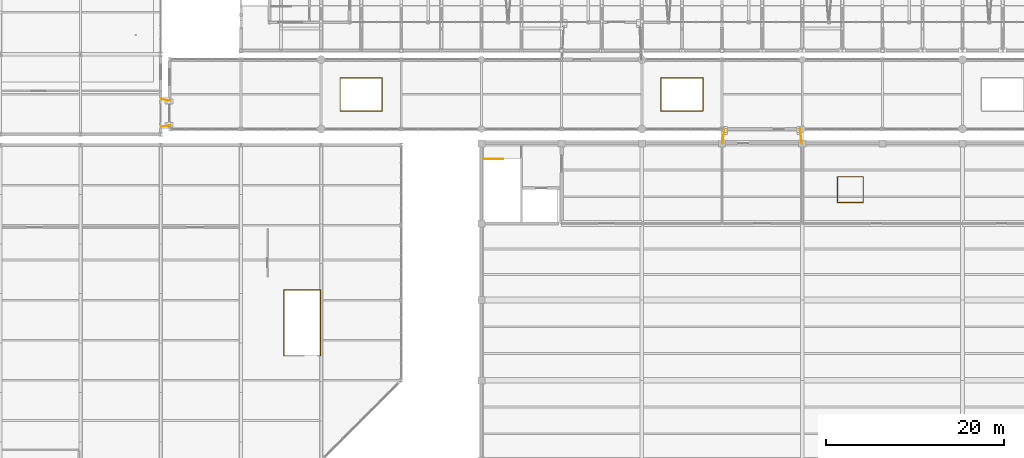
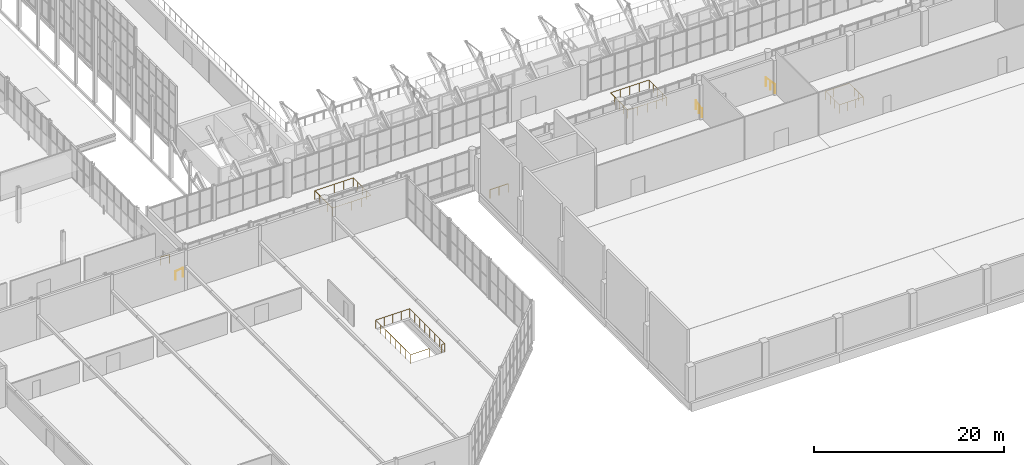
# One storey, part 128 of 134: 9 railings.
"""IFC4 building model written with IfcOpenShell, lengths in metres."""

from ifc_helpers import new_model, si_unit, direction, frame, origin, origin_2d, place, context, subcontext, project, spatial, circle, extrude, material, type_object, element, save


model = new_model("IFC4")

# Units and contexts
model_context = context("Model", 3, precision=1e-05, world=origin(), true_north=direction((0.0, 1.0)))
body_context = subcontext(model_context, "Body", "Model", "MODEL_VIEW")
ifc_project = project(units=[si_unit("LENGTHUNIT", "METRE"), si_unit("AREAUNIT", "SQUARE_METRE"), si_unit("VOLUMEUNIT", "CUBIC_METRE"), si_unit("PLANEANGLEUNIT", "RADIAN"), si_unit("MASSUNIT", "GRAM", prefix="KILO")], contexts=[model_context])

# Site, building, storey
site_placement = place(None, origin())
site = spatial("IfcSite", under=ifc_project, at=site_placement, CompositionType="ELEMENT")
building_placement = place(site_placement, origin())
building = spatial("IfcBuilding", under=site, at=building_placement, Name="Cazmaro Siding Exhibition Halls", CompositionType="ELEMENT")
storey_placement = place(building_placement, frame((0.0, 0.0, 12.0)))
storey = spatial("IfcBuildingStorey", under=building, at=storey_placement, Name="L02", CompositionType="ELEMENT", Elevation=12.0)

# Railings
ifc_material_1 = material(Name="Laminated Glass and Brushed Stainless Steel Balustrade", Category="steel")
railing_type_1 = type_object("IfcRailingType", Name="RL-BAL-01", PredefinedType="BALUSTRADE", material=ifc_material_1)
railing_1_placement = place(storey_placement, frame((99.050048828125, 53.60009765625, 0.0)))
element("IfcRailing", 1, at=railing_1_placement, inside=storey, type_object=railing_type_1, Name="Bridge SB-03 West Guard L02 RL-BAL-01 RL-G045", PredefinedType="BALUSTRADE", context=body_context, shape_type="SweptSolid", body=[
    extrude(circle(Radius=0.02392578125, at=origin_2d()), frame((0.0, 0.0, 1.09619140625), z_axis=(0.124016097791, 0.992280206136, 0.0), x_axis=(-0.992280206136, 0.124016097791, 0.0)), (0.0, 0.0, 1.0), 1.6123046875),
    extrude(circle(Radius=0.02099609375, at=origin_2d()), origin(), (0.0, 0.0, 1.0), 1.072021484375),
    extrude(circle(Radius=0.02099609375, at=origin_2d()), frame((0.10009765625, 0.7998046875, 0.0)), (0.0, 0.0, 1.0), 1.072021484375),
    extrude(circle(Radius=0.02099609375, at=origin_2d()), frame((0.199951171875, 1.599853515625, 0.0)), (0.0, 0.0, 1.0), 1.072021484375),
])
railing_2_placement = place(storey_placement, frame((107.949951171875, 53.60009765625, 0.0)))
element("IfcRailing", 2, at=railing_2_placement, inside=storey, type_object=railing_type_1, Name="Bridge SB-03 East Guard L02 RL-BAL-01 RL-G046", PredefinedType="BALUSTRADE", context=body_context, shape_type="SweptSolid", body=[
    extrude(circle(Radius=0.02392578125, at=origin_2d()), frame((0.0, 0.0, 1.09619140625), z_axis=(-0.124016097791, 0.992280206136, 0.0), x_axis=(-0.992280206136, -0.124016097791, 0.0)), (0.0, 0.0, 1.0), 1.6123046875),
    extrude(circle(Radius=0.02099609375, at=origin_2d()), origin(), (0.0, 0.0, 1.0), 1.072021484375),
    extrude(circle(Radius=0.02099609375, at=origin_2d()), frame((-0.10009765625, 0.7998046875, 0.0)), (0.0, 0.0, 1.0), 1.072021484375),
    extrude(circle(Radius=0.02099609375, at=origin_2d()), frame((-0.199951171875, 1.599853515625, 0.0)), (0.0, 0.0, 1.0), 1.072021484375),
])
railing_3_placement = place(storey_placement, frame((36.0, 55.449951171875, 0.0)))
element("IfcRailing", 3, at=railing_3_placement, inside=storey, type_object=railing_type_1, Name="Bridge SB-04 South Guard L02 RL-BAL-01 RL-G047", PredefinedType="BALUSTRADE", context=body_context, shape_type="SweptSolid", body=[
    extrude(circle(Radius=0.02392578125, at=origin_2d()), frame((0.0, 0.0, 1.09619140625), z_axis=(0.988915091775, 0.148482124375, 0.0), x_axis=(-0.148482124375, 0.988915091775, 0.0)), (0.0, 0.0, 1.0), 1.01123046875),
    extrude(circle(Radius=0.02099609375, at=origin_2d()), origin(), (0.0, 0.0, 1.0), 1.072021484375),
    extrude(circle(Radius=0.02099609375, at=origin_2d()), frame((1.0, 0.150146484375, 0.0)), (0.0, 0.0, 1.0), 1.072021484375),
])
railing_4_placement = place(storey_placement, frame((36.0, 58.550048828125, 0.0)))
element("IfcRailing", 4, at=railing_4_placement, inside=storey, type_object=railing_type_1, Name="Bridge SB-04 North Guard L02 RL-BAL-01 RL-G048", PredefinedType="BALUSTRADE", context=body_context, shape_type="SweptSolid", body=[
    extrude(circle(Radius=0.02392578125, at=origin_2d()), frame((0.0, 0.0, 1.09619140625), z_axis=(0.988915091775, -0.148482124375, 0.0), x_axis=(0.148482124375, 0.988915091775, 0.0)), (0.0, 0.0, 1.0), 1.01123046875),
    extrude(circle(Radius=0.02099609375, at=origin_2d()), origin(), (0.0, 0.0, 1.0), 1.072021484375),
    extrude(circle(Radius=0.02099609375, at=origin_2d()), frame((1.0, -0.150146484375, 0.0)), (0.0, 0.0, 1.0), 1.072021484375),
])
ifc_material_2 = material(Name="Interior Laminated Glass and Brushed Stainless Steel Balustrade", Category="steel")
railing_type_2 = type_object("IfcRailingType", Name="RL-BAL-02", PredefinedType="BALUSTRADE", material=ifc_material_2)
railing_5_placement = place(storey_placement, frame((56.14990234375, 57.25, 0.0)))
element("IfcRailing", 5, at=railing_5_placement, inside=storey, type_object=railing_type_2, Name="Concourse Atrium Guard L02 RL-BAL-02 RL-G027", PredefinedType="BALUSTRADE", context=body_context, shape_type="SweptSolid", body=[
    extrude(circle(Radius=0.02392578125, at=origin_2d()), frame((0.0, 0.0, 1.09619140625), z_axis=(1.0, 0.0, 0.0), x_axis=(0.0, 1.0, 0.0)), (0.0, 0.0, 1.0), 4.7001953125),
    extrude(circle(Radius=0.02392578125, at=origin_2d()), frame((4.7001953125, 0.0, 1.09619140625), z_axis=(0.0, 1.0, 0.0), x_axis=(-1.0, 0.0, 0.0)), (0.0, 0.0, 1.0), 3.699951171875),
    extrude(circle(Radius=0.02392578125, at=origin_2d()), frame((4.7001953125, 3.699951171875, 1.09619140625), z_axis=(-1.0, 0.0, 0.0), x_axis=(0.0, -1.0, 0.0)), (0.0, 0.0, 1.0), 4.7001953125),
    extrude(circle(Radius=0.02392578125, at=origin_2d()), frame((0.0, 3.699951171875, 1.09619140625), z_axis=(0.0, -1.0, 0.0), x_axis=(1.0, 0.0, 0.0)), (0.0, 0.0, 1.0), 3.639892578125),
    extrude(circle(Radius=0.02099609375, at=origin_2d()), origin(), (0.0, 0.0, 1.0), 1.072021484375),
    extrude(circle(Radius=0.02099609375, at=origin_2d()), frame((1.175048828125, 0.0, 0.0)), (0.0, 0.0, 1.0), 1.072021484375),
    extrude(circle(Radius=0.02099609375, at=origin_2d()), frame((2.35009765625, 0.0, 0.0)), (0.0, 0.0, 1.0), 1.072021484375),
    extrude(circle(Radius=0.02099609375, at=origin_2d()), frame((3.525146484375, 0.0, 0.0)), (0.0, 0.0, 1.0), 1.072021484375),
    extrude(circle(Radius=0.02099609375, at=origin_2d()), frame((4.7001953125, 0.0, 0.0)), (0.0, 0.0, 1.0), 1.072021484375),
    extrude(circle(Radius=0.02099609375, at=origin_2d()), frame((4.7001953125, 0.925048828125, 0.0)), (0.0, 0.0, 1.0), 1.072021484375),
    extrude(circle(Radius=0.02099609375, at=origin_2d()), frame((4.7001953125, 1.85009765625, 0.0)), (0.0, 0.0, 1.0), 1.072021484375),
    extrude(circle(Radius=0.02099609375, at=origin_2d()), frame((4.7001953125, 2.77490234375, 0.0)), (0.0, 0.0, 1.0), 1.072021484375),
    extrude(circle(Radius=0.02099609375, at=origin_2d()), frame((4.7001953125, 3.699951171875, 0.0)), (0.0, 0.0, 1.0), 1.072021484375),
    extrude(circle(Radius=0.02099609375, at=origin_2d()), frame((3.525146484375, 3.699951171875, 0.0)), (0.0, 0.0, 1.0), 1.072021484375),
    extrude(circle(Radius=0.02099609375, at=origin_2d()), frame((2.35009765625, 3.699951171875, 0.0)), (0.0, 0.0, 1.0), 1.072021484375),
    extrude(circle(Radius=0.02099609375, at=origin_2d()), frame((1.175048828125, 3.699951171875, 0.0)), (0.0, 0.0, 1.0), 1.072021484375),
    extrude(circle(Radius=0.02099609375, at=origin_2d()), frame((0.0, 3.699951171875, 0.0)), (0.0, 0.0, 1.0), 1.072021484375),
    extrude(circle(Radius=0.02099609375, at=origin_2d()), frame((0.0, 2.7900390625, 0.0)), (0.0, 0.0, 1.0), 1.072021484375),
    extrude(circle(Radius=0.02099609375, at=origin_2d()), frame((0.0, 1.8798828125, 0.0)), (0.0, 0.0, 1.0), 1.072021484375),
    extrude(circle(Radius=0.02099609375, at=origin_2d()), frame((0.0, 0.969970703125, 0.0)), (0.0, 0.0, 1.0), 1.072021484375),
    extrude(circle(Radius=0.02099609375, at=origin_2d()), frame((0.0, 0.06005859375, 0.0)), (0.0, 0.0, 1.0), 1.072021484375),
])
railing_6_placement = place(storey_placement, frame((92.14990234375, 57.25, 0.0)))
element("IfcRailing", 6, at=railing_6_placement, inside=storey, type_object=railing_type_2, Name="Concourse Atrium Guard L02 RL-BAL-02 RL-G028", PredefinedType="BALUSTRADE", context=body_context, shape_type="SweptSolid", body=[
    extrude(circle(Radius=0.02392578125, at=origin_2d()), frame((0.0, 0.0, 1.09619140625), z_axis=(1.0, 0.0, 0.0), x_axis=(0.0, 1.0, 0.0)), (0.0, 0.0, 1.0), 4.7001953125),
    extrude(circle(Radius=0.02392578125, at=origin_2d()), frame((4.7001953125, 0.0, 1.09619140625), z_axis=(0.0, 1.0, 0.0), x_axis=(-1.0, 0.0, 0.0)), (0.0, 0.0, 1.0), 3.699951171875),
    extrude(circle(Radius=0.02392578125, at=origin_2d()), frame((4.7001953125, 3.699951171875, 1.09619140625), z_axis=(-1.0, 0.0, 0.0), x_axis=(0.0, -1.0, 0.0)), (0.0, 0.0, 1.0), 4.7001953125),
    extrude(circle(Radius=0.02392578125, at=origin_2d()), frame((0.0, 3.699951171875, 1.09619140625), z_axis=(0.0, -1.0, 0.0), x_axis=(1.0, 0.0, 0.0)), (0.0, 0.0, 1.0), 3.639892578125),
    extrude(circle(Radius=0.02099609375, at=origin_2d()), origin(), (0.0, 0.0, 1.0), 1.072021484375),
    extrude(circle(Radius=0.02099609375, at=origin_2d()), frame((1.175048828125, 0.0, 0.0)), (0.0, 0.0, 1.0), 1.072021484375),
    extrude(circle(Radius=0.02099609375, at=origin_2d()), frame((2.35009765625, 0.0, 0.0)), (0.0, 0.0, 1.0), 1.072021484375),
    extrude(circle(Radius=0.02099609375, at=origin_2d()), frame((3.525146484375, 0.0, 0.0)), (0.0, 0.0, 1.0), 1.072021484375),
    extrude(circle(Radius=0.02099609375, at=origin_2d()), frame((4.7001953125, 0.0, 0.0)), (0.0, 0.0, 1.0), 1.072021484375),
    extrude(circle(Radius=0.02099609375, at=origin_2d()), frame((4.7001953125, 0.925048828125, 0.0)), (0.0, 0.0, 1.0), 1.072021484375),
    extrude(circle(Radius=0.02099609375, at=origin_2d()), frame((4.7001953125, 1.85009765625, 0.0)), (0.0, 0.0, 1.0), 1.072021484375),
    extrude(circle(Radius=0.02099609375, at=origin_2d()), frame((4.7001953125, 2.77490234375, 0.0)), (0.0, 0.0, 1.0), 1.072021484375),
    extrude(circle(Radius=0.02099609375, at=origin_2d()), frame((4.7001953125, 3.699951171875, 0.0)), (0.0, 0.0, 1.0), 1.072021484375),
    extrude(circle(Radius=0.02099609375, at=origin_2d()), frame((3.525146484375, 3.699951171875, 0.0)), (0.0, 0.0, 1.0), 1.072021484375),
    extrude(circle(Radius=0.02099609375, at=origin_2d()), frame((2.35009765625, 3.699951171875, 0.0)), (0.0, 0.0, 1.0), 1.072021484375),
    extrude(circle(Radius=0.02099609375, at=origin_2d()), frame((1.175048828125, 3.699951171875, 0.0)), (0.0, 0.0, 1.0), 1.072021484375),
    extrude(circle(Radius=0.02099609375, at=origin_2d()), frame((0.0, 3.699951171875, 0.0)), (0.0, 0.0, 1.0), 1.072021484375),
    extrude(circle(Radius=0.02099609375, at=origin_2d()), frame((0.0, 2.7900390625, 0.0)), (0.0, 0.0, 1.0), 1.072021484375),
    extrude(circle(Radius=0.02099609375, at=origin_2d()), frame((0.0, 1.8798828125, 0.0)), (0.0, 0.0, 1.0), 1.072021484375),
    extrude(circle(Radius=0.02099609375, at=origin_2d()), frame((0.0, 0.969970703125, 0.0)), (0.0, 0.0, 1.0), 1.072021484375),
    extrude(circle(Radius=0.02099609375, at=origin_2d()), frame((0.0, 0.06005859375, 0.0)), (0.0, 0.0, 1.0), 1.072021484375),
])
ifc_material_3 = material(Name="Painted Steel Stairwell Guardrail", Category="steel")
railing_type_3 = type_object("IfcRailingType", Name="RL-GRD-01", PredefinedType="GUARDRAIL", material=ifc_material_3)
railing_7_placement = place(storey_placement, frame((111.949951171875, 46.949951171875, 0.0)))
element("IfcRailing", 7, at=railing_7_placement, inside=storey, type_object=railing_type_3, Name="Hall B2 Shaft Guard RL-GRD-01 RL-G055", PredefinedType="GUARDRAIL", context=body_context, shape_type="SweptSolid", body=[
    extrude(circle(Radius=0.02392578125, at=origin_2d()), frame((0.0, 0.0, 1.09619140625), z_axis=(1.0, 0.0, 0.0), x_axis=(0.0, 1.0, 0.0)), (0.0, 0.0, 1.0), 2.900146484375),
    extrude(circle(Radius=0.02392578125, at=origin_2d()), frame((2.900146484375, 0.0, 1.09619140625), z_axis=(0.0, 1.0, 0.0), x_axis=(-1.0, 0.0, 0.0)), (0.0, 0.0, 1.0), 2.900146484375),
    extrude(circle(Radius=0.02392578125, at=origin_2d()), frame((2.900146484375, 2.900146484375, 1.09619140625), z_axis=(-1.0, 0.0, 0.0), x_axis=(0.0, -1.0, 0.0)), (0.0, 0.0, 1.0), 2.900146484375),
    extrude(circle(Radius=0.02392578125, at=origin_2d()), frame((0.0, 2.900146484375, 1.09619140625), z_axis=(0.0, -1.0, 0.0), x_axis=(1.0, 0.0, 0.0)), (0.0, 0.0, 1.0), 2.840087890625),
    extrude(circle(Radius=0.02099609375, at=origin_2d()), origin(), (0.0, 0.0, 1.0), 1.072021484375),
    extrude(circle(Radius=0.02099609375, at=origin_2d()), frame((0.966796875, 0.0, 0.0)), (0.0, 0.0, 1.0), 1.072021484375),
    extrude(circle(Radius=0.02099609375, at=origin_2d()), frame((1.933349609375, 0.0, 0.0)), (0.0, 0.0, 1.0), 1.072021484375),
    extrude(circle(Radius=0.02099609375, at=origin_2d()), frame((2.900146484375, 0.0, 0.0)), (0.0, 0.0, 1.0), 1.072021484375),
    extrude(circle(Radius=0.02099609375, at=origin_2d()), frame((2.900146484375, 0.966796875, 0.0)), (0.0, 0.0, 1.0), 1.072021484375),
    extrude(circle(Radius=0.02099609375, at=origin_2d()), frame((2.900146484375, 1.933349609375, 0.0)), (0.0, 0.0, 1.0), 1.072021484375),
    extrude(circle(Radius=0.02099609375, at=origin_2d()), frame((2.900146484375, 2.900146484375, 0.0)), (0.0, 0.0, 1.0), 1.072021484375),
    extrude(circle(Radius=0.02099609375, at=origin_2d()), frame((1.933349609375, 2.900146484375, 0.0)), (0.0, 0.0, 1.0), 1.072021484375),
    extrude(circle(Radius=0.02099609375, at=origin_2d()), frame((0.966796875, 2.900146484375, 0.0)), (0.0, 0.0, 1.0), 1.072021484375),
    extrude(circle(Radius=0.02099609375, at=origin_2d()), frame((0.0, 2.900146484375, 0.0)), (0.0, 0.0, 1.0), 1.072021484375),
    extrude(circle(Radius=0.02099609375, at=origin_2d()), frame((0.0, 1.953369140625, 0.0)), (0.0, 0.0, 1.0), 1.072021484375),
    extrude(circle(Radius=0.02099609375, at=origin_2d()), frame((0.0, 1.0068359375, 0.0)), (0.0, 0.0, 1.0), 1.072021484375),
    extrude(circle(Radius=0.02099609375, at=origin_2d()), frame((0.0, 0.06005859375, 0.0)), (0.0, 0.0, 1.0), 1.072021484375),
])
railing_8_placement = place(storey_placement, frame((72.215087890625, 51.860107421875, 0.0)))
element("IfcRailing", 8, at=railing_8_placement, inside=storey, type_object=railing_type_3, Name="Core C3 L02 Top Stairwell Guard RL-GRD-01 RL-SG012", PredefinedType="GUARDRAIL", context=body_context, shape_type="SweptSolid", body=[
    extrude(circle(Radius=0.02392578125, at=origin_2d()), frame((0.0, 0.0, 1.09619140625), z_axis=(1.0, 0.0, 0.0), x_axis=(0.0, 1.0, 0.0)), (0.0, 0.0, 1.0), 2.23486328125),
    extrude(circle(Radius=0.02099609375, at=origin_2d()), origin(), (0.0, 0.0, 1.0), 1.072021484375),
    extrude(circle(Radius=0.02099609375, at=origin_2d()), frame((1.117431640625, 0.0, 0.0)), (0.0, 0.0, 1.0), 1.072021484375),
    extrude(circle(Radius=0.02099609375, at=origin_2d()), frame((2.23486328125, 0.0, 0.0)), (0.0, 0.0, 1.0), 1.072021484375),
])
railing_9_placement = place(storey_placement, frame((52.0849609375, 29.760009765625, 0.0)))
element("IfcRailing", 9, at=railing_9_placement, inside=storey, type_object=railing_type_3, Name="ST-27 Upper Stairwell Guard RL-GRD-01 RL-SG060", PredefinedType="GUARDRAIL", context=body_context, shape_type="SweptSolid", body=[
    extrude(circle(Radius=0.02392578125, at=origin_2d()), frame((0.0, 0.0, 1.09619140625), z_axis=(-1.0, 0.0, 0.0), x_axis=(0.0, -1.0, 0.0)), (0.0, 0.0, 1.0), 2.27490234375),
    extrude(circle(Radius=0.02392578125, at=origin_2d()), frame((-2.27490234375, 0.0, 1.09619140625), z_axis=(0.0, 1.0, 0.0), x_axis=(-1.0, 0.0, 0.0)), (0.0, 0.0, 1.0), 7.3798828125),
    extrude(circle(Radius=0.02392578125, at=origin_2d()), frame((-2.27490234375, 7.3798828125, 1.09619140625), z_axis=(1.0, 0.0, 0.0), x_axis=(0.0, 1.0, 0.0)), (0.0, 0.0, 1.0), 4.139892578125),
    extrude(circle(Radius=0.02392578125, at=origin_2d()), frame((1.864990234375, 7.3798828125, 1.09619140625), z_axis=(0.0, -1.0, 0.0), x_axis=(1.0, 0.0, 0.0)), (0.0, 0.0, 1.0), 7.3798828125),
    extrude(circle(Radius=0.02392578125, at=origin_2d()), frame((1.864990234375, 0.0, 1.09619140625), z_axis=(-1.0, 0.0, 0.0), x_axis=(0.0, -1.0, 0.0)), (0.0, 0.0, 1.0), 0.35498046875),
    extrude(circle(Radius=0.02099609375, at=origin_2d()), origin(), (0.0, 0.0, 1.0), 1.072021484375),
    extrude(circle(Radius=0.02099609375, at=origin_2d()), frame((-1.137451171875, 0.0, 0.0)), (0.0, 0.0, 1.0), 1.072021484375),
    extrude(circle(Radius=0.02099609375, at=origin_2d()), frame((-2.27490234375, 0.0, 0.0)), (0.0, 0.0, 1.0), 1.072021484375),
    extrude(circle(Radius=0.02099609375, at=origin_2d()), frame((-2.27490234375, 1.05419921875, 0.0)), (0.0, 0.0, 1.0), 1.072021484375),
    extrude(circle(Radius=0.02099609375, at=origin_2d()), frame((-2.27490234375, 2.108642578125, 0.0)), (0.0, 0.0, 1.0), 1.072021484375),
    extrude(circle(Radius=0.02099609375, at=origin_2d()), frame((-2.27490234375, 3.162841796875, 0.0)), (0.0, 0.0, 1.0), 1.072021484375),
    extrude(circle(Radius=0.02099609375, at=origin_2d()), frame((-2.27490234375, 4.217041015625, 0.0)), (0.0, 0.0, 1.0), 1.072021484375),
    extrude(circle(Radius=0.02099609375, at=origin_2d()), frame((-2.27490234375, 5.271240234375, 0.0)), (0.0, 0.0, 1.0), 1.072021484375),
    extrude(circle(Radius=0.02099609375, at=origin_2d()), frame((-2.27490234375, 6.32568359375, 0.0)), (0.0, 0.0, 1.0), 1.072021484375),
    extrude(circle(Radius=0.02099609375, at=origin_2d()), frame((-2.27490234375, 7.3798828125, 0.0)), (0.0, 0.0, 1.0), 1.072021484375),
    extrude(circle(Radius=0.02099609375, at=origin_2d()), frame((-1.239990234375, 7.3798828125, 0.0)), (0.0, 0.0, 1.0), 1.072021484375),
    extrude(circle(Radius=0.02099609375, at=origin_2d()), frame((-0.205078125, 7.3798828125, 0.0)), (0.0, 0.0, 1.0), 1.072021484375),
    extrude(circle(Radius=0.02099609375, at=origin_2d()), frame((0.830078125, 7.3798828125, 0.0)), (0.0, 0.0, 1.0), 1.072021484375),
    extrude(circle(Radius=0.02099609375, at=origin_2d()), frame((1.864990234375, 7.3798828125, 0.0)), (0.0, 0.0, 1.0), 1.072021484375),
    extrude(circle(Radius=0.02099609375, at=origin_2d()), frame((1.864990234375, 6.32568359375, 0.0)), (0.0, 0.0, 1.0), 1.072021484375),
    extrude(circle(Radius=0.02099609375, at=origin_2d()), frame((1.864990234375, 5.271240234375, 0.0)), (0.0, 0.0, 1.0), 1.072021484375),
    extrude(circle(Radius=0.02099609375, at=origin_2d()), frame((1.864990234375, 4.217041015625, 0.0)), (0.0, 0.0, 1.0), 1.072021484375),
    extrude(circle(Radius=0.02099609375, at=origin_2d()), frame((1.864990234375, 3.162841796875, 0.0)), (0.0, 0.0, 1.0), 1.072021484375),
    extrude(circle(Radius=0.02099609375, at=origin_2d()), frame((1.864990234375, 2.108642578125, 0.0)), (0.0, 0.0, 1.0), 1.072021484375),
    extrude(circle(Radius=0.02099609375, at=origin_2d()), frame((1.864990234375, 1.05419921875, 0.0)), (0.0, 0.0, 1.0), 1.072021484375),
    extrude(circle(Radius=0.02099609375, at=origin_2d()), frame((1.864990234375, 0.0, 0.0)), (0.0, 0.0, 1.0), 1.072021484375),
    extrude(circle(Radius=0.02099609375, at=origin_2d()), frame((1.510009765625, 0.0, 0.0)), (0.0, 0.0, 1.0), 1.072021484375),
])

save(model, "model.ifc")
